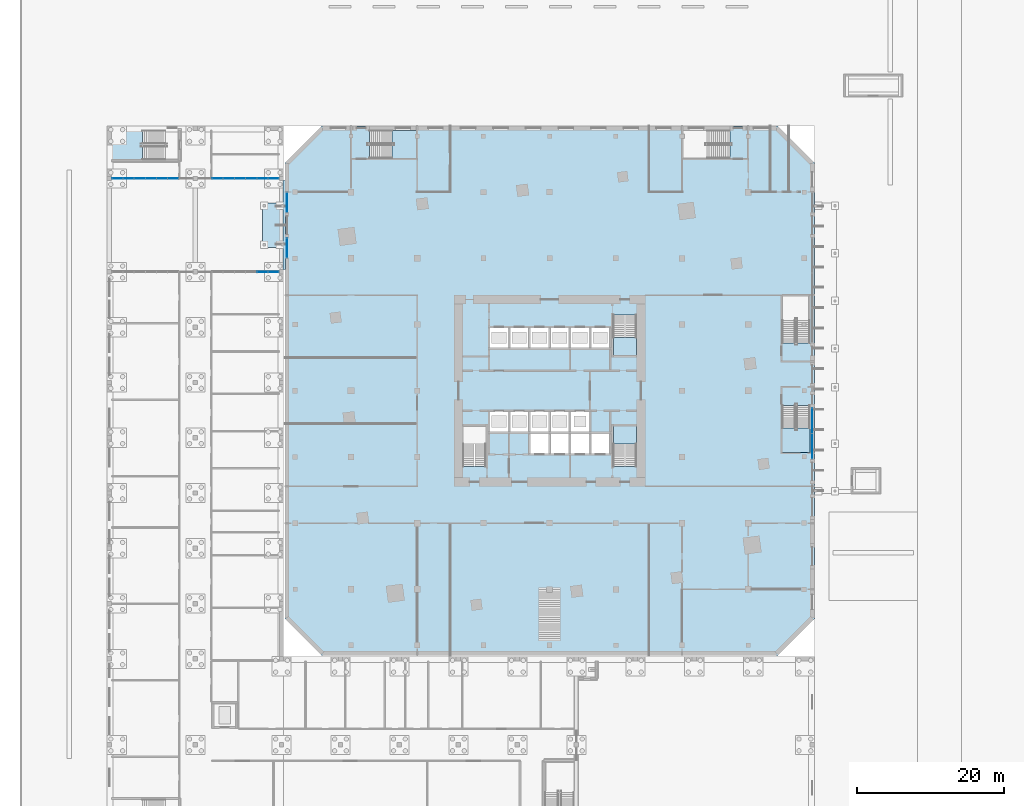
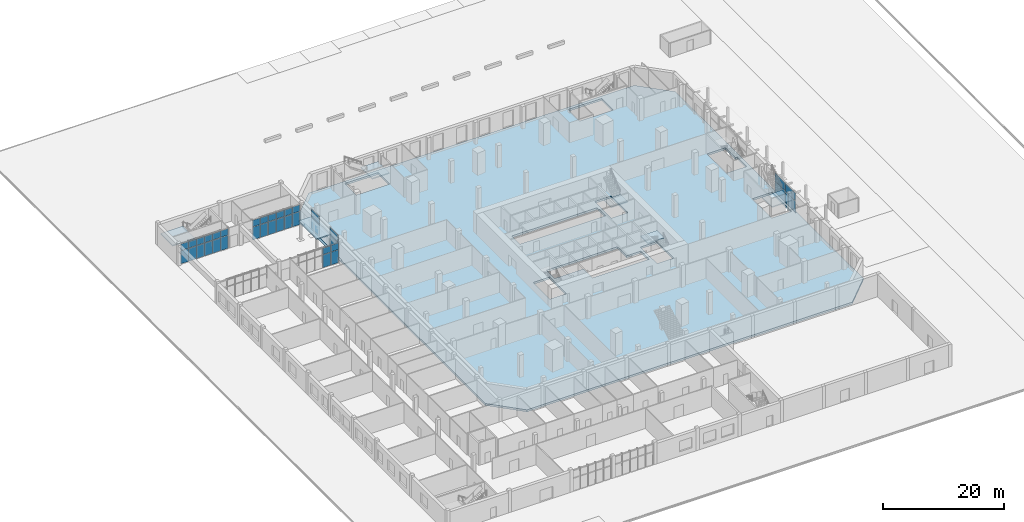
# One storey, part 20 of 42: 37 plates, 7 slabs, 11 elements without a shape of their own.
"""IFC4 building model written with IfcOpenShell, lengths in metres."""

from ifc_helpers import new_model, si_unit, direction, frame, origin, origin_2d, place, context, subcontext, project, spatial, polyline, rectangle, outline, extrude, material, layer, layer_set, type_object, element, aggregate, save


model = new_model("IFC4")

# Units and contexts
model_context = context("Model", 3, precision=1e-05, world=origin(), true_north=direction((0.0, 1.0)))
body_context = subcontext(model_context, "Body", "Model", "MODEL_VIEW")
ifc_project = project(units=[si_unit("LENGTHUNIT", "METRE"), si_unit("AREAUNIT", "SQUARE_METRE"), si_unit("VOLUMEUNIT", "CUBIC_METRE"), si_unit("PLANEANGLEUNIT", "RADIAN"), si_unit("MASSUNIT", "GRAM", prefix="KILO")], contexts=[model_context])

# Site, building, storey
site_placement = place(None, origin())
site = spatial("IfcSite", under=ifc_project, at=site_placement, CompositionType="ELEMENT")
building_placement = place(site_placement, origin())
building = spatial("IfcBuilding", under=site, at=building_placement, Name="Dilmun Exchange Tower", CompositionType="ELEMENT")
storey_placement = place(building_placement, origin())
storey = spatial("IfcBuildingStorey", under=building, at=storey_placement, Name="L00", CompositionType="ELEMENT", Elevation=0.0)

# Curtain wall, plates
ifc_material_1 = material(Name="Anodised aluminium and clear glass", Category="aluminium")
curtain_wall_type_1 = type_object("IfcCurtainWallType", Name="Concourse glazing", PredefinedType="NOTDEFINED", material=ifc_material_1)
curtain_wall_1_placement = place(storey_placement, origin())
curtain_wall_1 = element("IfcCurtainWall", 1, at=curtain_wall_1_placement, inside=storey, type_object=curtain_wall_type_1, Name="Concourse glazing run CG3.7", PredefinedType="NOTDEFINED")
ifc_material_2 = material(Name="Clear glass", Category="glass")
ifc_layer_1 = layer(ifc_material_2, 0.0400390625)
ifc_layer_set_1 = layer_set([ifc_layer_1], Name="Clear glass")
plate_type_1 = type_object("IfcPlateType", Name="Concourse glazing glass panel 40", PredefinedType="CURTAIN_PANEL", material=ifc_layer_set_1)
plate_1_placement = place(storey_placement, frame((35.699951171875, -7.530029296875, 0.080078125), z_axis=(0.0, 0.0, 1.0), x_axis=(0.0, 1.0, 0.0)))
plate_1 = element("IfcPlate", 2, at=plate_1_placement, type_object=plate_type_1, Name="CG3.7 panel 1.1", PredefinedType="CURTAIN_PANEL", context=body_context, shape_type="SweptSolid", body=[
    extrude(rectangle(XDim=3.3798828125, YDim=0.0400390625, at=origin_2d()), origin(), (0.0, 0.0, 1.0), 2.280029296875),
])
plate_2_placement = place(storey_placement, frame((35.699951171875, -7.530029296875, 2.43994140625), z_axis=(0.0, 0.0, 1.0), x_axis=(0.0, 1.0, 0.0)))
plate_2 = element("IfcPlate", 3, at=plate_2_placement, type_object=plate_type_1, Name="CG3.7 panel 1.2", PredefinedType="CURTAIN_PANEL", context=body_context, shape_type="SweptSolid", body=[
    extrude(rectangle(XDim=3.3798828125, YDim=0.0400390625, at=origin_2d()), origin(), (0.0, 0.0, 1.0), 1.580078125),
])
plate_3_placement = place(storey_placement, frame((35.699951171875, -4.070068359375, 0.080078125), z_axis=(0.0, 0.0, 1.0), x_axis=(0.0, 1.0, 0.0)))
plate_3 = element("IfcPlate", 4, at=plate_3_placement, type_object=plate_type_1, Name="CG3.7 panel 2.1", PredefinedType="CURTAIN_PANEL", context=body_context, shape_type="SweptSolid", body=[
    extrude(rectangle(XDim=3.3798828125, YDim=0.0400390625, at=origin_2d()), origin(), (0.0, 0.0, 1.0), 2.280029296875),
])
plate_4_placement = place(storey_placement, frame((35.699951171875, -4.070068359375, 2.43994140625), z_axis=(0.0, 0.0, 1.0), x_axis=(0.0, 1.0, 0.0)))
plate_4 = element("IfcPlate", 5, at=plate_4_placement, type_object=plate_type_1, Name="CG3.7 panel 2.2", PredefinedType="CURTAIN_PANEL", context=body_context, shape_type="SweptSolid", body=[
    extrude(rectangle(XDim=3.3798828125, YDim=0.0400390625, at=origin_2d()), origin(), (0.0, 0.0, 1.0), 1.580078125),
])
aggregate(curtain_wall_1, [plate_1, plate_2, plate_3, plate_4])

curtain_wall_2_placement = place(storey_placement, origin())
curtain_wall_2 = element("IfcCurtainWall", 6, at=curtain_wall_2_placement, inside=storey, type_object=curtain_wall_type_1, Name="Concourse glazing run CG7.2", PredefinedType="NOTDEFINED")
plate_5_placement = place(storey_placement, frame((-35.699951171875, 25.60009765625, 0.080078125), z_axis=(0.0, 0.0, 1.0), x_axis=(0.0, -1.0, 0.0)))
plate_5 = element("IfcPlate", 7, at=plate_5_placement, type_object=plate_type_1, Name="CG7.2 panel 1.1", PredefinedType="CURTAIN_PANEL", context=body_context, shape_type="SweptSolid", body=[
    extrude(rectangle(XDim=2.639892578125, YDim=0.0400390625, at=origin_2d()), origin(), (0.0, 0.0, 1.0), 2.280029296875),
])
plate_6_placement = place(storey_placement, frame((-35.699951171875, 25.60009765625, 2.43994140625), z_axis=(0.0, 0.0, 1.0), x_axis=(0.0, -1.0, 0.0)))
plate_6 = element("IfcPlate", 8, at=plate_6_placement, type_object=plate_type_1, Name="CG7.2 panel 1.2", PredefinedType="CURTAIN_PANEL", context=body_context, shape_type="SweptSolid", body=[
    extrude(rectangle(XDim=2.639892578125, YDim=0.0400390625, at=origin_2d()), origin(), (0.0, 0.0, 1.0), 1.580078125),
])
aggregate(curtain_wall_2, [plate_5, plate_6])

curtain_wall_3_placement = place(storey_placement, origin())
curtain_wall_3 = element("IfcCurtainWall", 9, at=curtain_wall_3_placement, inside=storey, type_object=curtain_wall_type_1, Name="Concourse glazing run CG7.4", PredefinedType="NOTDEFINED")
plate_7_placement = place(storey_placement, frame((-35.699951171875, 19.39990234375, 0.080078125), z_axis=(0.0, 0.0, 1.0), x_axis=(0.0, -1.0, 0.0)))
plate_7 = element("IfcPlate", 10, at=plate_7_placement, type_object=plate_type_1, Name="CG7.4 panel 1.1", PredefinedType="CURTAIN_PANEL", context=body_context, shape_type="SweptSolid", body=[
    extrude(rectangle(XDim=2.639892578125, YDim=0.0400390625, at=origin_2d()), origin(), (0.0, 0.0, 1.0), 2.280029296875),
])
plate_8_placement = place(storey_placement, frame((-35.699951171875, 19.39990234375, 2.43994140625), z_axis=(0.0, 0.0, 1.0), x_axis=(0.0, -1.0, 0.0)))
plate_8 = element("IfcPlate", 11, at=plate_8_placement, type_object=plate_type_1, Name="CG7.4 panel 1.2", PredefinedType="CURTAIN_PANEL", context=body_context, shape_type="SweptSolid", body=[
    extrude(rectangle(XDim=2.639892578125, YDim=0.0400390625, at=origin_2d()), origin(), (0.0, 0.0, 1.0), 1.580078125),
])
aggregate(curtain_wall_3, [plate_7, plate_8])

# Slab
ifc_material_3 = material(Name="Precast concrete C40/50", Category="concrete")
ifc_layer_2 = layer(ifc_material_3, 0.25)
ifc_layer_set_2 = layer_set([ifc_layer_2], Name="Precast concrete C40/50")
slab_type_1 = type_object("IfcSlabType", Name="Entrance canopy plate 250", PredefinedType="ROOF", material=ifc_layer_set_2)
slab_1_placement = place(storey_placement, frame((0.0, 0.0, 3.35009765625)))
element("IfcSlab", 12, at=slab_1_placement, inside=storey, type_object=slab_type_1, Name="Entrance canopy 7", PredefinedType="ROOF", context=body_context, shape_type="SweptSolid", body=[
    extrude(outline(polyline([(-36.14990234375, 25.5), (-36.14990234375, 19.5), (-39.0, 19.5), (-39.0, 25.5), (-36.14990234375, 25.5)])), origin(), (0.0, 0.0, 1.0), 0.25),
])

# Stair, slab
ifc_material_4 = material(Name="Concrete C40/50", Category="concrete")
stair_type_1 = type_object("IfcStairType", Name="Exit stair 1500 half-turn", PredefinedType="HALF_TURN_STAIR", material=ifc_material_4)
stair_1_placement = place(storey_placement, origin())
stair_1 = element("IfcStair", 13, at=stair_1_placement, inside=storey, type_object=stair_type_1, Name="L00 Protected exit stair ST1", PredefinedType="HALF_TURN_STAIR")
ifc_layer_3 = layer(ifc_material_4, 0.199951171875)
ifc_layer_set_3 = layer_set([ifc_layer_3], Name="Concrete C40/50")
slab_type_2 = type_object("IfcSlabType", Name="Exit stair landing 200", PredefinedType="LANDING", material=ifc_layer_set_3)
slab_2_placement = place(storey_placement, frame((0.0, 0.0, 2.050048828125)))
slab_2 = element("IfcSlab", 14, at=slab_2_placement, type_object=slab_type_2, Name="ST1 landing 1", PredefinedType="LANDING", context=body_context, shape_type="SweptSolid", body=[
    extrude(outline(polyline([(8.64990234375, 7.219970703125), (8.64990234375, 4.800048828125), (11.800048828125, 4.800048828125), (11.800048828125, 7.219970703125), (8.64990234375, 7.219970703125)])), origin(), (0.0, 0.0, 1.0), 0.199951171875),
])
aggregate(stair_1, [slab_2])

stair_2_placement = place(storey_placement, origin())
stair_2 = element("IfcStair", 15, at=stair_2_placement, inside=storey, type_object=stair_type_1, Name="L00 Protected exit stair ST3", PredefinedType="HALF_TURN_STAIR")
slab_3_placement = place(storey_placement, frame((0.0, 0.0, 2.050048828125)))
slab_3 = element("IfcSlab", 16, at=slab_3_placement, type_object=slab_type_2, Name="ST3 landing 1", PredefinedType="LANDING", context=body_context, shape_type="SweptSolid", body=[
    extrude(outline(polyline([(11.800048828125, -7.219970703125), (11.800048828125, -4.800048828125), (8.64990234375, -4.800048828125), (8.64990234375, -7.219970703125), (11.800048828125, -7.219970703125)])), origin(), (0.0, 0.0, 1.0), 0.199951171875),
])
aggregate(stair_2, [slab_3])

# Plate
ifc_material_5 = material(Name="Stainless steel", Category="steel")
ifc_layer_4 = layer(ifc_material_5, 0.011962890625)
ifc_layer_set_4 = layer_set([ifc_layer_4], Name="Stainless steel")
plate_type_2 = type_object("IfcPlateType", Name="Movement joint cover plate 350 x 12", PredefinedType="SHEET", material=ifc_layer_set_4)
plate_9_placement = place(storey_placement, frame((-36.074951171875, 22.5, 0.0), z_axis=(0.0, 0.0, 1.0), x_axis=(1.0, 0.0, 0.0)))
element("IfcPlate", 17, at=plate_9_placement, inside=storey, type_object=plate_type_2, Name="Movement joint cover at the arcade", PredefinedType="SHEET", context=body_context, shape_type="SweptSolid", body=[
    extrude(rectangle(XDim=0.35009765625, YDim=12.10009765625, at=origin_2d()), origin(), (0.0, 0.0, 1.0), 0.011962890625),
])

# Stair, slab
stair_type_2 = type_object("IfcStairType", Name="Podium exit stair 1500", PredefinedType="HALF_TURN_STAIR", material=ifc_material_4)
stair_3_placement = place(storey_placement, origin())
stair_3 = element("IfcStair", 18, at=stair_3_placement, inside=storey, type_object=stair_type_2, Name="L00 Podium exit stair PS1", PredefinedType="HALF_TURN_STAIR")
ifc_layer_5 = layer(ifc_material_4, 0.199951171875)
ifc_layer_set_5 = layer_set([ifc_layer_5], Name="Concrete C40/50")
slab_type_3 = type_object("IfcSlabType", Name="Podium stair landing 200", PredefinedType="LANDING", material=ifc_layer_set_5)
slab_4_placement = place(storey_placement, frame((0.0, 0.0, 2.050048828125)))
slab_4 = element("IfcSlab", 19, at=slab_4_placement, type_object=slab_type_3, Name="PS1 landing 1", PredefinedType="LANDING", context=body_context, shape_type="SweptSolid", body=[
    extrude(outline(polyline([(-21.419921875, 31.60009765625), (-18.10498046875, 31.60009765625), (-18.10498046875, 35.39794921875), (-21.419921875, 35.39794921875), (-21.419921875, 31.60009765625)])), origin(), (0.0, 0.0, 1.0), 0.199951171875),
])
aggregate(stair_3, [slab_4])

stair_4_placement = place(storey_placement, origin())
stair_4 = element("IfcStair", 20, at=stair_4_placement, inside=storey, type_object=stair_type_2, Name="L00 Podium exit stair PS3", PredefinedType="HALF_TURN_STAIR")
slab_5_placement = place(storey_placement, frame((0.0, 0.0, 2.050048828125)))
slab_5 = element("IfcSlab", 21, at=slab_5_placement, type_object=slab_type_3, Name="PS3 landing 1", PredefinedType="LANDING", context=body_context, shape_type="SweptSolid", body=[
    extrude(outline(polyline([(31.60009765625, -5.080078125), (31.60009765625, -8.39501953125), (35.39794921875, -8.39501953125), (35.39794921875, -5.080078125), (31.60009765625, -5.080078125)])), origin(), (0.0, 0.0, 1.0), 0.199951171875),
])
aggregate(stair_4, [slab_5])

# Slab
ifc_layer_6 = layer(ifc_material_4, 0.39990234375)
ifc_layer_set_6 = layer_set([ifc_layer_6], Name="Concrete C40/50")
slab_type_4 = type_object("IfcSlabType", Name="RC floor slab 400", PredefinedType="FLOOR", material=ifc_layer_set_6)
slab_6_placement = place(storey_placement, frame((0.0, 0.0, -0.39990234375)))
element("IfcSlab", 22, at=slab_6_placement, inside=storey, type_object=slab_type_4, Name="Floor slab", PredefinedType="FLOOR", context=body_context, shape_type="SweptSolid", body=[
    extrude(outline(polyline([(-36.0, -31.0), (-36.0, 31.0), (-31.0, 36.0), (31.0, 36.0), (36.0, 31.0), (36.0, -31.0), (31.0, -36.0), (-31.0, -36.0), (-36.0, -31.0)]), holes=[polyline([(-8.64990234375, -10.294921875), (-8.64990234375, -4.800048828125), (-11.800048828125, -4.800048828125), (-11.800048828125, -10.294921875), (-8.64990234375, -10.294921875)]), polyline([(11.800048828125, -10.294921875), (11.800048828125, -4.800048828125), (8.64990234375, -4.800048828125), (8.64990234375, -10.294921875), (11.800048828125, -10.294921875)]), polyline([(5.375, -2.85009765625), (-8.125, -2.85009765625), (-8.125, -5.550048828125), (-2.625, -5.550048828125), (-2.625, -8.550048828125), (8.125, -8.550048828125), (8.125, -5.85009765625), (5.375, -5.85009765625), (5.375, -2.85009765625)]), polyline([(35.39794921875, -8.39501953125), (35.39794921875, -2.0048828125), (31.60009765625, -2.0048828125), (31.60009765625, -8.39501953125), (35.39794921875, -8.39501953125)]), polyline([(-8.125, 5.85009765625), (8.125, 5.85009765625), (8.125, 8.550048828125), (-8.125, 8.550048828125), (-8.125, 5.85009765625)]), polyline([(8.64990234375, 10.294921875), (8.64990234375, 4.800048828125), (11.800048828125, 4.800048828125), (11.800048828125, 10.294921875), (8.64990234375, 10.294921875)]), polyline([(35.39794921875, 12.89501953125), (31.60009765625, 12.89501953125), (31.60009765625, 6.5048828125), (35.39794921875, 6.5048828125), (35.39794921875, 9.58056640625), (35.097900390625, 9.58056640625), (35.097900390625, 12.889892578125), (35.39794921875, 12.889892578125), (35.39794921875, 12.89501953125)]), polyline([(-18.10498046875, 31.60009765625), (-18.10498046875, 35.39794921875), (-24.4951171875, 35.39794921875), (-24.4951171875, 31.60009765625), (-18.10498046875, 31.60009765625)]), polyline([(18.10498046875, 35.39794921875), (18.10498046875, 31.60009765625), (24.4951171875, 31.60009765625), (24.4951171875, 35.39794921875), (18.10498046875, 35.39794921875)])]), origin(), (0.0, 0.0, 1.0), 0.39990234375),
])

# Curtain wall, plates
ifc_material_6 = material(Name="Aluminium", Category="aluminium")
curtain_wall_type_2 = type_object("IfcCurtainWallType", Name="School arcade glazing", PredefinedType="NOTDEFINED", material=ifc_material_6)
curtain_wall_4_placement = place(storey_placement, origin())
curtain_wall_4 = element("IfcCurtainWall", 23, at=curtain_wall_4_placement, inside=storey, type_object=curtain_wall_type_2, Name="School arcade glazing", PredefinedType="NOTDEFINED")
ifc_material_7 = material(Name="Clear low-emissivity glass in aluminium frame", Category="aluminium")
ifc_layer_7 = layer(ifc_material_7, 0.028076171875)
ifc_layer_set_7 = layer_set([ifc_layer_7], Name="Clear low-emissivity glass in aluminium frame")
plate_type_3 = type_object("IfcPlateType", Name="School arcade glazing panel 28", PredefinedType="CURTAIN_PANEL", material=ifc_layer_set_7)
plate_10_placement = place(storey_placement, frame((-37.527587890625, 28.85009765625, 0.06005859375), z_axis=(0.0, 0.0, 1.0), x_axis=(-1.0, 0.0, 0.0)))
plate_10 = element("IfcPlate", 24, at=plate_10_placement, type_object=plate_type_3, Name="SCH-CW1 panel 1.1", PredefinedType="CURTAIN_PANEL", context=body_context, shape_type="SweptSolid", body=[
    extrude(rectangle(XDim=1.43505859375, YDim=0.028076171875, at=origin_2d()), origin(), (0.0, 0.0, 1.0), 2.610107421875),
])
plate_11_placement = place(storey_placement, frame((-37.527587890625, 28.85009765625, 2.72998046875), z_axis=(0.0, 0.0, 1.0), x_axis=(-1.0, 0.0, 0.0)))
plate_11 = element("IfcPlate", 25, at=plate_11_placement, type_object=plate_type_3, Name="SCH-CW1 panel 1.2", PredefinedType="CURTAIN_PANEL", context=body_context, shape_type="SweptSolid", body=[
    extrude(rectangle(XDim=1.43505859375, YDim=0.028076171875, at=origin_2d()), origin(), (0.0, 0.0, 1.0), 1.31005859375),
])
plate_12_placement = place(storey_placement, frame((-39.03759765625, 28.85009765625, 0.06005859375), z_axis=(0.0, 0.0, 1.0), x_axis=(-1.0, 0.0, 0.0)))
plate_12 = element("IfcPlate", 26, at=plate_12_placement, type_object=plate_type_3, Name="SCH-CW1 panel 2.1", PredefinedType="CURTAIN_PANEL", context=body_context, shape_type="SweptSolid", body=[
    extrude(rectangle(XDim=1.465087890625, YDim=0.028076171875, at=origin_2d()), origin(), (0.0, 0.0, 1.0), 2.610107421875),
])
plate_13_placement = place(storey_placement, frame((-39.03759765625, 28.85009765625, 2.72998046875), z_axis=(0.0, 0.0, 1.0), x_axis=(-1.0, 0.0, 0.0)))
plate_13 = element("IfcPlate", 27, at=plate_13_placement, type_object=plate_type_3, Name="SCH-CW1 panel 2.2", PredefinedType="CURTAIN_PANEL", context=body_context, shape_type="SweptSolid", body=[
    extrude(rectangle(XDim=1.465087890625, YDim=0.028076171875, at=origin_2d()), origin(), (0.0, 0.0, 1.0), 1.31005859375),
])
plate_14_placement = place(storey_placement, frame((-40.5625, 28.85009765625, 0.06005859375), z_axis=(0.0, 0.0, 1.0), x_axis=(-1.0, 0.0, 0.0)))
plate_14 = element("IfcPlate", 28, at=plate_14_placement, type_object=plate_type_3, Name="SCH-CW1 panel 3.1", PredefinedType="CURTAIN_PANEL", context=body_context, shape_type="SweptSolid", body=[
    extrude(rectangle(XDim=1.465087890625, YDim=0.028076171875, at=origin_2d()), origin(), (0.0, 0.0, 1.0), 2.610107421875),
])
plate_15_placement = place(storey_placement, frame((-40.5625, 28.85009765625, 2.72998046875), z_axis=(0.0, 0.0, 1.0), x_axis=(-1.0, 0.0, 0.0)))
plate_15 = element("IfcPlate", 29, at=plate_15_placement, type_object=plate_type_3, Name="SCH-CW1 panel 3.2", PredefinedType="CURTAIN_PANEL", context=body_context, shape_type="SweptSolid", body=[
    extrude(rectangle(XDim=1.465087890625, YDim=0.028076171875, at=origin_2d()), origin(), (0.0, 0.0, 1.0), 1.31005859375),
])
plate_16_placement = place(storey_placement, frame((-42.08740234375, 28.85009765625, 0.06005859375), z_axis=(0.0, 0.0, 1.0), x_axis=(-1.0, 0.0, 0.0)))
plate_16 = element("IfcPlate", 30, at=plate_16_placement, type_object=plate_type_3, Name="SCH-CW1 panel 4.1", PredefinedType="CURTAIN_PANEL", context=body_context, shape_type="SweptSolid", body=[
    extrude(rectangle(XDim=1.465087890625, YDim=0.028076171875, at=origin_2d()), origin(), (0.0, 0.0, 1.0), 2.610107421875),
])
plate_17_placement = place(storey_placement, frame((-42.08740234375, 28.85009765625, 2.72998046875), z_axis=(0.0, 0.0, 1.0), x_axis=(-1.0, 0.0, 0.0)))
plate_17 = element("IfcPlate", 31, at=plate_17_placement, type_object=plate_type_3, Name="SCH-CW1 panel 4.2", PredefinedType="CURTAIN_PANEL", context=body_context, shape_type="SweptSolid", body=[
    extrude(rectangle(XDim=1.465087890625, YDim=0.028076171875, at=origin_2d()), origin(), (0.0, 0.0, 1.0), 1.31005859375),
])
plate_18_placement = place(storey_placement, frame((-43.612548828125, 28.85009765625, 0.06005859375), z_axis=(0.0, 0.0, 1.0), x_axis=(-1.0, 0.0, 0.0)))
plate_18 = element("IfcPlate", 32, at=plate_18_placement, type_object=plate_type_3, Name="SCH-CW1 panel 5.1", PredefinedType="CURTAIN_PANEL", context=body_context, shape_type="SweptSolid", body=[
    extrude(rectangle(XDim=1.465087890625, YDim=0.028076171875, at=origin_2d()), origin(), (0.0, 0.0, 1.0), 2.610107421875),
])
plate_19_placement = place(storey_placement, frame((-43.612548828125, 28.85009765625, 2.72998046875), z_axis=(0.0, 0.0, 1.0), x_axis=(-1.0, 0.0, 0.0)))
plate_19 = element("IfcPlate", 33, at=plate_19_placement, type_object=plate_type_3, Name="SCH-CW1 panel 5.2", PredefinedType="CURTAIN_PANEL", context=body_context, shape_type="SweptSolid", body=[
    extrude(rectangle(XDim=1.465087890625, YDim=0.028076171875, at=origin_2d()), origin(), (0.0, 0.0, 1.0), 1.31005859375),
])
plate_20_placement = place(storey_placement, frame((-45.12255859375, 28.85009765625, 0.06005859375), z_axis=(0.0, 0.0, 1.0), x_axis=(-1.0, 0.0, 0.0)))
plate_20 = element("IfcPlate", 34, at=plate_20_placement, type_object=plate_type_3, Name="SCH-CW1 panel 6.1", PredefinedType="CURTAIN_PANEL", context=body_context, shape_type="SweptSolid", body=[
    extrude(rectangle(XDim=1.43505859375, YDim=0.028076171875, at=origin_2d()), origin(), (0.0, 0.0, 1.0), 2.610107421875),
])
plate_21_placement = place(storey_placement, frame((-45.12255859375, 28.85009765625, 2.72998046875), z_axis=(0.0, 0.0, 1.0), x_axis=(-1.0, 0.0, 0.0)))
plate_21 = element("IfcPlate", 35, at=plate_21_placement, type_object=plate_type_3, Name="SCH-CW1 panel 6.2", PredefinedType="CURTAIN_PANEL", context=body_context, shape_type="SweptSolid", body=[
    extrude(rectangle(XDim=1.43505859375, YDim=0.028076171875, at=origin_2d()), origin(), (0.0, 0.0, 1.0), 1.31005859375),
])
aggregate(curtain_wall_4, [plate_10, plate_11, plate_12, plate_13, plate_14, plate_15, plate_16, plate_17, plate_18, plate_19, plate_20, plate_21])

curtain_wall_5_placement = place(storey_placement, origin())
curtain_wall_5 = element("IfcCurtainWall", 36, at=curtain_wall_5_placement, inside=storey, type_object=curtain_wall_type_2, Name="School arcade glazing", PredefinedType="NOTDEFINED")
plate_22_placement = place(storey_placement, frame((-51.177490234375, 28.85009765625, 0.06005859375), z_axis=(0.0, 0.0, 1.0), x_axis=(-1.0, 0.0, 0.0)))
plate_22 = element("IfcPlate", 37, at=plate_22_placement, type_object=plate_type_3, Name="SCH-CW1 panel 1.1", PredefinedType="CURTAIN_PANEL", context=body_context, shape_type="SweptSolid", body=[
    extrude(rectangle(XDim=1.43505859375, YDim=0.028076171875, at=origin_2d()), origin(), (0.0, 0.0, 1.0), 2.610107421875),
])
plate_23_placement = place(storey_placement, frame((-51.177490234375, 28.85009765625, 2.72998046875), z_axis=(0.0, 0.0, 1.0), x_axis=(-1.0, 0.0, 0.0)))
plate_23 = element("IfcPlate", 38, at=plate_23_placement, type_object=plate_type_3, Name="SCH-CW1 panel 1.2", PredefinedType="CURTAIN_PANEL", context=body_context, shape_type="SweptSolid", body=[
    extrude(rectangle(XDim=1.43505859375, YDim=0.028076171875, at=origin_2d()), origin(), (0.0, 0.0, 1.0), 1.31005859375),
])
plate_24_placement = place(storey_placement, frame((-52.6875, 28.85009765625, 0.06005859375), z_axis=(0.0, 0.0, 1.0), x_axis=(-1.0, 0.0, 0.0)))
plate_24 = element("IfcPlate", 39, at=plate_24_placement, type_object=plate_type_3, Name="SCH-CW1 panel 2.1", PredefinedType="CURTAIN_PANEL", context=body_context, shape_type="SweptSolid", body=[
    extrude(rectangle(XDim=1.465087890625, YDim=0.028076171875, at=origin_2d()), origin(), (0.0, 0.0, 1.0), 2.610107421875),
])
plate_25_placement = place(storey_placement, frame((-52.6875, 28.85009765625, 2.72998046875), z_axis=(0.0, 0.0, 1.0), x_axis=(-1.0, 0.0, 0.0)))
plate_25 = element("IfcPlate", 40, at=plate_25_placement, type_object=plate_type_3, Name="SCH-CW1 panel 2.2", PredefinedType="CURTAIN_PANEL", context=body_context, shape_type="SweptSolid", body=[
    extrude(rectangle(XDim=1.465087890625, YDim=0.028076171875, at=origin_2d()), origin(), (0.0, 0.0, 1.0), 1.31005859375),
])
plate_26_placement = place(storey_placement, frame((-54.21240234375, 28.85009765625, 0.06005859375), z_axis=(0.0, 0.0, 1.0), x_axis=(-1.0, 0.0, 0.0)))
plate_26 = element("IfcPlate", 41, at=plate_26_placement, type_object=plate_type_3, Name="SCH-CW1 panel 3.1", PredefinedType="CURTAIN_PANEL", context=body_context, shape_type="SweptSolid", body=[
    extrude(rectangle(XDim=1.465087890625, YDim=0.028076171875, at=origin_2d()), origin(), (0.0, 0.0, 1.0), 2.610107421875),
])
plate_27_placement = place(storey_placement, frame((-54.21240234375, 28.85009765625, 2.72998046875), z_axis=(0.0, 0.0, 1.0), x_axis=(-1.0, 0.0, 0.0)))
plate_27 = element("IfcPlate", 42, at=plate_27_placement, type_object=plate_type_3, Name="SCH-CW1 panel 3.2", PredefinedType="CURTAIN_PANEL", context=body_context, shape_type="SweptSolid", body=[
    extrude(rectangle(XDim=1.465087890625, YDim=0.028076171875, at=origin_2d()), origin(), (0.0, 0.0, 1.0), 1.31005859375),
])
plate_28_placement = place(storey_placement, frame((-55.737548828125, 28.85009765625, 0.06005859375), z_axis=(0.0, 0.0, 1.0), x_axis=(-1.0, 0.0, 0.0)))
plate_28 = element("IfcPlate", 43, at=plate_28_placement, type_object=plate_type_3, Name="SCH-CW1 panel 4.1", PredefinedType="CURTAIN_PANEL", context=body_context, shape_type="SweptSolid", body=[
    extrude(rectangle(XDim=1.465087890625, YDim=0.028076171875, at=origin_2d()), origin(), (0.0, 0.0, 1.0), 2.610107421875),
])
plate_29_placement = place(storey_placement, frame((-55.737548828125, 28.85009765625, 2.72998046875), z_axis=(0.0, 0.0, 1.0), x_axis=(-1.0, 0.0, 0.0)))
plate_29 = element("IfcPlate", 44, at=plate_29_placement, type_object=plate_type_3, Name="SCH-CW1 panel 4.2", PredefinedType="CURTAIN_PANEL", context=body_context, shape_type="SweptSolid", body=[
    extrude(rectangle(XDim=1.465087890625, YDim=0.028076171875, at=origin_2d()), origin(), (0.0, 0.0, 1.0), 1.31005859375),
])
plate_30_placement = place(storey_placement, frame((-57.262451171875, 28.85009765625, 0.06005859375), z_axis=(0.0, 0.0, 1.0), x_axis=(-1.0, 0.0, 0.0)))
plate_30 = element("IfcPlate", 45, at=plate_30_placement, type_object=plate_type_3, Name="SCH-CW1 panel 5.1", PredefinedType="CURTAIN_PANEL", context=body_context, shape_type="SweptSolid", body=[
    extrude(rectangle(XDim=1.465087890625, YDim=0.028076171875, at=origin_2d()), origin(), (0.0, 0.0, 1.0), 2.610107421875),
])
plate_31_placement = place(storey_placement, frame((-57.262451171875, 28.85009765625, 2.72998046875), z_axis=(0.0, 0.0, 1.0), x_axis=(-1.0, 0.0, 0.0)))
plate_31 = element("IfcPlate", 46, at=plate_31_placement, type_object=plate_type_3, Name="SCH-CW1 panel 5.2", PredefinedType="CURTAIN_PANEL", context=body_context, shape_type="SweptSolid", body=[
    extrude(rectangle(XDim=1.465087890625, YDim=0.028076171875, at=origin_2d()), origin(), (0.0, 0.0, 1.0), 1.31005859375),
])
plate_32_placement = place(storey_placement, frame((-58.7724609375, 28.85009765625, 0.06005859375), z_axis=(0.0, 0.0, 1.0), x_axis=(-1.0, 0.0, 0.0)))
plate_32 = element("IfcPlate", 47, at=plate_32_placement, type_object=plate_type_3, Name="SCH-CW1 panel 6.1", PredefinedType="CURTAIN_PANEL", context=body_context, shape_type="SweptSolid", body=[
    extrude(rectangle(XDim=1.43505859375, YDim=0.028076171875, at=origin_2d()), origin(), (0.0, 0.0, 1.0), 2.610107421875),
])
plate_33_placement = place(storey_placement, frame((-58.7724609375, 28.85009765625, 2.72998046875), z_axis=(0.0, 0.0, 1.0), x_axis=(-1.0, 0.0, 0.0)))
plate_33 = element("IfcPlate", 48, at=plate_33_placement, type_object=plate_type_3, Name="SCH-CW1 panel 6.2", PredefinedType="CURTAIN_PANEL", context=body_context, shape_type="SweptSolid", body=[
    extrude(rectangle(XDim=1.43505859375, YDim=0.028076171875, at=origin_2d()), origin(), (0.0, 0.0, 1.0), 1.31005859375),
])
aggregate(curtain_wall_5, [plate_22, plate_23, plate_24, plate_25, plate_26, plate_27, plate_28, plate_29, plate_30, plate_31, plate_32, plate_33])

curtain_wall_6_placement = place(storey_placement, origin())
curtain_wall_6 = element("IfcCurtainWall", 49, at=curtain_wall_6_placement, inside=storey, type_object=curtain_wall_type_2, Name="School arcade glazing", PredefinedType="NOTDEFINED")
plate_34_placement = place(storey_placement, frame((-39.03759765625, 16.14990234375, 0.06005859375), z_axis=(0.0, 0.0, 1.0), x_axis=(1.0, 0.0, 0.0)))
plate_34 = element("IfcPlate", 50, at=plate_34_placement, type_object=plate_type_3, Name="SCH-CW1 panel 5.1", PredefinedType="CURTAIN_PANEL", context=body_context, shape_type="SweptSolid", body=[
    extrude(rectangle(XDim=1.465087890625, YDim=0.028076171875, at=origin_2d()), origin(), (0.0, 0.0, 1.0), 2.610107421875),
])
plate_35_placement = place(storey_placement, frame((-39.03759765625, 16.14990234375, 2.72998046875), z_axis=(0.0, 0.0, 1.0), x_axis=(1.0, 0.0, 0.0)))
plate_35 = element("IfcPlate", 51, at=plate_35_placement, type_object=plate_type_3, Name="SCH-CW1 panel 5.2", PredefinedType="CURTAIN_PANEL", context=body_context, shape_type="SweptSolid", body=[
    extrude(rectangle(XDim=1.465087890625, YDim=0.028076171875, at=origin_2d()), origin(), (0.0, 0.0, 1.0), 1.31005859375),
])
plate_36_placement = place(storey_placement, frame((-37.527587890625, 16.14990234375, 0.06005859375), z_axis=(0.0, 0.0, 1.0), x_axis=(1.0, 0.0, 0.0)))
plate_36 = element("IfcPlate", 52, at=plate_36_placement, type_object=plate_type_3, Name="SCH-CW1 panel 6.1", PredefinedType="CURTAIN_PANEL", context=body_context, shape_type="SweptSolid", body=[
    extrude(rectangle(XDim=1.43505859375, YDim=0.028076171875, at=origin_2d()), origin(), (0.0, 0.0, 1.0), 2.610107421875),
])
plate_37_placement = place(storey_placement, frame((-37.527587890625, 16.14990234375, 2.72998046875), z_axis=(0.0, 0.0, 1.0), x_axis=(1.0, 0.0, 0.0)))
plate_37 = element("IfcPlate", 53, at=plate_37_placement, type_object=plate_type_3, Name="SCH-CW1 panel 6.2", PredefinedType="CURTAIN_PANEL", context=body_context, shape_type="SweptSolid", body=[
    extrude(rectangle(XDim=1.43505859375, YDim=0.028076171875, at=origin_2d()), origin(), (0.0, 0.0, 1.0), 1.31005859375),
])
aggregate(curtain_wall_6, [plate_34, plate_35, plate_36, plate_37])

# Stair, slab
stair_type_3 = type_object("IfcStairType", Name="School exit stair 1850 wide", PredefinedType="HALF_TURN_STAIR", material=ifc_material_4)
stair_5_placement = place(storey_placement, origin())
stair_5 = element("IfcStair", 54, at=stair_5_placement, inside=storey, type_object=stair_type_3, Name="L00 Stair S1", PredefinedType="HALF_TURN_STAIR")
ifc_layer_8 = layer(ifc_material_4, 0.199951171875)
ifc_layer_set_8 = layer_set([ifc_layer_8], Name="Concrete C40/50")
slab_type_5 = type_object("IfcSlabType", Name="School stair landing 200", PredefinedType="LANDING", material=ifc_layer_set_8)
slab_7_placement = place(storey_placement, frame((0.0, 0.0, 2.050048828125)))
slab_7 = element("IfcSlab", 55, at=slab_7_placement, type_object=slab_type_5, Name="SCH-S1 landing 1", PredefinedType="LANDING", context=body_context, shape_type="SweptSolid", body=[
    extrude(outline(polyline([(-55.330078125, 35.39990234375), (-59.550048828125, 35.39990234375), (-59.550048828125, 31.39990234375), (-55.330078125, 31.39990234375), (-55.330078125, 35.39990234375)])), origin(), (0.0, 0.0, 1.0), 0.199951171875),
])
aggregate(stair_5, [slab_7])

save(model, "model.ifc")
